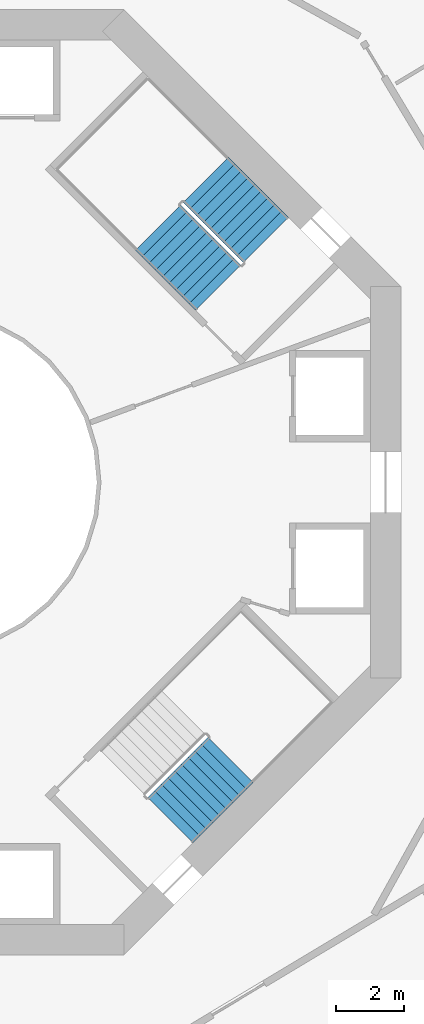
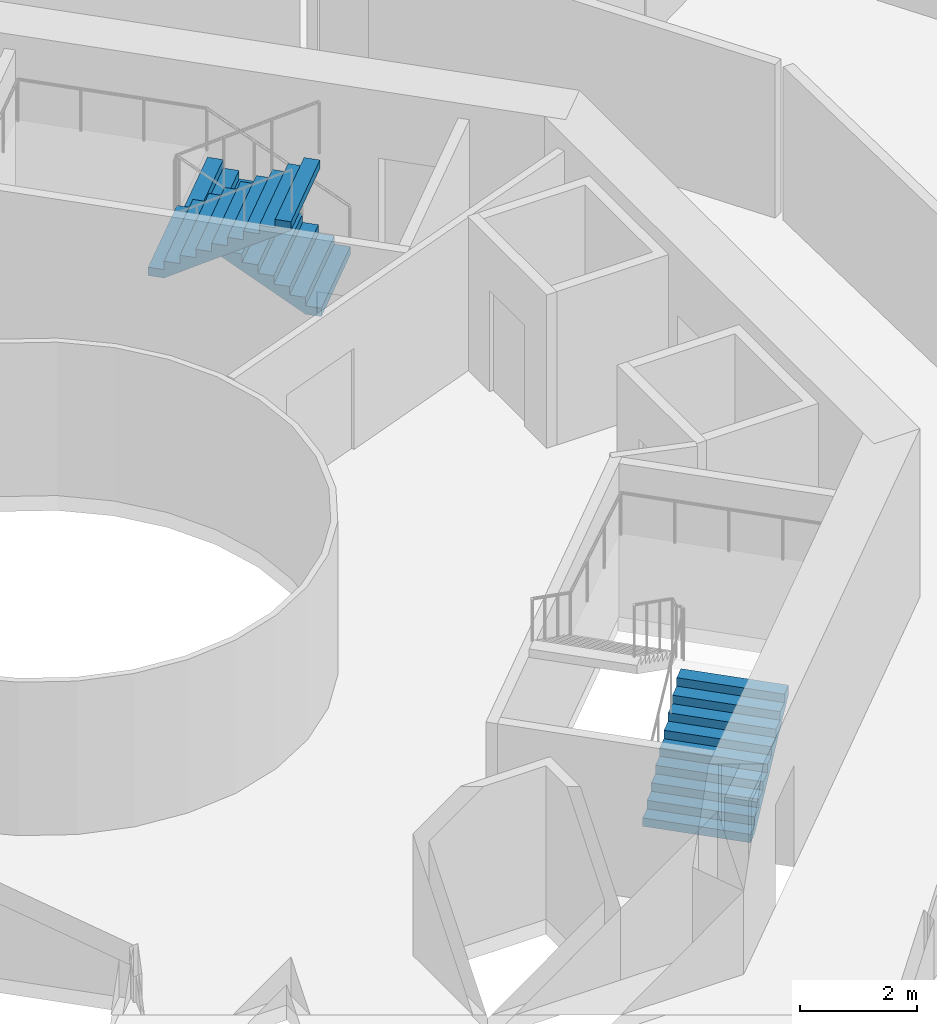
# One storey, part 24 of 25: 3 stair flights, 2 elements without a shape of their own.
"""IFC4 building model written with IfcOpenShell, lengths in metres."""

from ifc_helpers import new_model, si_unit, direction, frame, origin, place, context, subcontext, project, spatial, triangles, material, type_object, element, aggregate, save


model = new_model("IFC4")

# Units and contexts
model_context = context("Model", 3, precision=1e-05, world=origin(), true_north=direction((0.0, 1.0)))
body_context = subcontext(model_context, "Body", "Model", "MODEL_VIEW")
ifc_project = project(units=[si_unit("LENGTHUNIT", "METRE"), si_unit("AREAUNIT", "SQUARE_METRE"), si_unit("VOLUMEUNIT", "CUBIC_METRE"), si_unit("PLANEANGLEUNIT", "RADIAN"), si_unit("MASSUNIT", "GRAM", prefix="KILO")], contexts=[model_context])

# Site, building, storey
site_placement = place(None, origin())
site = spatial("IfcSite", under=ifc_project, at=site_placement, CompositionType="ELEMENT")
building_placement = place(site_placement, origin())
building = spatial("IfcBuilding", under=site, at=building_placement, Name="Verdalira Terraces Hotel", CompositionType="ELEMENT")
storey_placement = place(building_placement, frame((0.0, 0.0, 39.0)))
storey = spatial("IfcBuildingStorey", under=building, at=storey_placement, Name="L07", CompositionType="ELEMENT", Elevation=39.0)

# Stair, stair flights
ifc_material_1 = material(Name="Concrete C40", Category="concrete")
stair_type = type_object("IfcStairType", Name="Core stair 20 risers 1900 mm wide", PredefinedType="HALF_TURN_STAIR", material=ifc_material_1)
stair_1_placement = place(storey_placement, origin())
stair_1 = element("IfcStair", 1, at=stair_1_placement, inside=storey, type_object=stair_type, Name="L07 Exit stair ST1", PredefinedType="HALF_TURN_STAIR")
ifc_material_2 = material(Name="Concrete C40", Category="concrete")
stair_flight_type = type_object("IfcStairFlightType", Name="Core stair flight 20 risers 1900 mm wide", PredefinedType="STRAIGHT", material=ifc_material_2)
stair_flight_1_placement = place(storey_placement, frame((10.005615, 7.177246, 0.0), z_axis=(0.0, 0.0, 1.0), x_axis=(-0.707106781, 0.707106781, 0.0)))
stair_flight_1 = element("IfcStairFlight", 2, at=stair_flight_1_placement, type_object=stair_flight_type, Name="ST1 flight 1", NumberOfRisers=10, NumberOfTreads=9, PredefinedType="STRAIGHT", RiserHeight=0.175, TreadLength=0.28, context=body_context, shape_type="Tessellation", body=[
    triangles([(0.0, 0.949951, 0.0), (0.282715, 0.949951, 0.0), (2.52002, 0.949951, 1.398193), (0.0, -0.949951, 0.0), (0.282715, -0.949951, 0.0), (2.52002, -0.949951, 1.398193), (2.52002, 0.949951, 1.574951), (2.23999, 0.949951, 1.574951), (2.52002, -0.949951, 1.574951), (2.23999, -0.949951, 1.574951), (2.23999, 0.949951, 1.399902), (2.23999, -0.949951, 1.399902), (1.959961, 0.949951, 1.399902), (1.959961, -0.949951, 1.399902), (1.959961, 0.949951, 1.225098), (1.959961, -0.949951, 1.225098), (1.679932, 0.949951, 1.225098), (1.679932, 0.949951, 1.050049), (1.679932, -0.949951, 1.225098), (1.679932, -0.949951, 1.050049), (1.399902, 0.949951, 1.050049), (1.399902, 0.949951, 0.875), (1.399902, -0.949951, 1.050049), (1.399902, -0.949951, 0.875), (1.120117, 0.949951, 0.875), (1.120117, 0.949951, 0.699951), (1.120117, -0.949951, 0.875), (1.120117, -0.949951, 0.699951), (0.840088, 0.949951, 0.699951), (0.840088, 0.949951, 0.524902), (0.840088, -0.949951, 0.699951), (0.840088, -0.949951, 0.524902), (0.560059, 0.949951, 0.524902), (0.560059, 0.949951, 0.350098), (0.560059, -0.949951, 0.524902), (0.560059, -0.949951, 0.350098), (0.280029, 0.949951, 0.350098), (0.280029, 0.949951, 0.175049), (0.280029, -0.949951, 0.350098), (0.280029, -0.949951, 0.175049), (0.0, 0.949951, 0.175049), (0.0, -0.949951, 0.175049), (0.0, -0.890579, 0.0), (0.0, -0.890579, 0.175049), (0.0, -0.831207, 0.0), (0.0, -0.831207, 0.175049), (0.0, -0.771835, 0.0), (0.0, -0.771835, 0.175049), (0.0, -0.712463, 0.0), (0.0, -0.712463, 0.175049), (0.0, -0.653091, 0.0), (0.0, -0.653091, 0.175049), (0.0, -0.593719, 0.0), (0.0, -0.593719, 0.175049), (0.0, -0.534348, 0.0), (0.0, -0.534348, 0.175049), (0.0, -0.474976, 0.0), (0.0, -0.474976, 0.175049), (0.0, -0.415604, 0.0), (0.0, -0.415604, 0.175049), (0.0, -0.356232, 0.0), (0.0, -0.356232, 0.175049), (0.0, -0.29686, 0.0), (0.0, -0.29686, 0.175049), (0.0, -0.237488, 0.0), (0.0, -0.237488, 0.175049), (0.0, -0.178116, 0.0), (0.0, -0.178116, 0.175049), (0.0, -0.118744, 0.0), (0.0, -0.118744, 0.175049), (0.0, -0.059372, 0.0), (0.0, -0.059372, 0.175049), (0.0, 0.0, 0.0), (0.0, 0.0, 0.175049), (0.0, 0.059372, 0.0), (0.0, 0.059372, 0.175049), (0.0, 0.118744, 0.0), (0.0, 0.118744, 0.175049), (0.0, 0.178116, 0.0), (0.0, 0.178116, 0.175049), (0.0, 0.237488, 0.0), (0.0, 0.237488, 0.175049), (0.0, 0.29686, 0.0), (0.0, 0.29686, 0.175049), (0.0, 0.356232, 0.0), (0.0, 0.356232, 0.175049), (0.0, 0.415604, 0.0), (0.0, 0.415604, 0.175049), (0.0, 0.474976, 0.0), (0.0, 0.474976, 0.175049), (0.0, 0.534348, 0.0), (0.0, 0.534348, 0.175049), (0.0, 0.593719, 0.0), (0.0, 0.593719, 0.175049), (0.0, 0.653091, 0.0), (0.0, 0.653091, 0.175049), (0.0, 0.712463, 0.0), (0.0, 0.712463, 0.175049), (0.0, 0.771835, 0.0), (0.0, 0.771835, 0.175049), (0.0, 0.831207, 0.0), (0.0, 0.831207, 0.175049), (0.0, 0.890579, 0.0), (0.0, 0.890579, 0.175049), (2.52002, -0.890579, 1.574951), (2.52002, -0.831207, 1.574951), (2.52002, -0.771835, 1.574951), (2.52002, -0.712463, 1.574951), (2.52002, -0.653091, 1.574951), (2.52002, -0.593719, 1.574951), (2.52002, -0.534348, 1.574951), (2.52002, -0.474976, 1.574951), (2.52002, -0.415604, 1.574951), (2.52002, -0.356232, 1.574951), (2.52002, -0.29686, 1.574951), (2.52002, -0.237488, 1.574951), (2.52002, -0.178116, 1.574951), (2.52002, -0.118744, 1.574951), (2.52002, -0.059372, 1.574951), (2.52002, 0.0, 1.574951), (2.52002, 0.059372, 1.574951), (2.52002, 0.118744, 1.574951), (2.52002, 0.178116, 1.574951), (2.52002, 0.237488, 1.574951), (2.52002, 0.29686, 1.574951), (2.52002, 0.356232, 1.574951), (2.52002, 0.415604, 1.574951), (2.52002, 0.474976, 1.574951), (2.52002, 0.534348, 1.574951), (2.52002, 0.593719, 1.574951), (2.52002, 0.653091, 1.574951), (2.52002, 0.712463, 1.574951), (2.52002, 0.771835, 1.574951), (2.52002, 0.831207, 1.574951), (2.52002, 0.890579, 1.574951), (2.52002, -0.890579, 1.398193), (2.52002, -0.831207, 1.398193), (2.52002, -0.771835, 1.398193), (2.52002, -0.712463, 1.398193), (2.52002, -0.653091, 1.398193), (2.52002, -0.593719, 1.398193), (2.52002, -0.534348, 1.398193), (2.52002, -0.474976, 1.398193), (2.52002, -0.415604, 1.398193), (2.52002, -0.356232, 1.398193), (2.52002, -0.29686, 1.398193), (2.52002, -0.237488, 1.398193), (2.52002, -0.178116, 1.398193), (2.52002, -0.118744, 1.398193), (2.52002, -0.059372, 1.398193), (2.52002, 0.0, 1.398193), (2.52002, 0.059372, 1.398193), (2.52002, 0.118744, 1.398193), (2.52002, 0.178116, 1.398193), (2.52002, 0.237488, 1.398193), (2.52002, 0.29686, 1.398193), (2.52002, 0.356232, 1.398193), (2.52002, 0.415604, 1.398193), (2.52002, 0.474976, 1.398193), (2.52002, 0.534348, 1.398193), (2.52002, 0.593719, 1.398193), (2.52002, 0.653091, 1.398193), (2.52002, 0.712463, 1.398193), (2.52002, 0.771835, 1.398193), (2.52002, 0.831207, 1.398193), (2.52002, 0.890579, 1.398193)], [[1, 3, 2], [4, 5, 6], [3, 8, 7], [6, 9, 10], [3, 11, 8], [6, 10, 12], [3, 13, 11], [6, 12, 14], [3, 15, 13], [6, 14, 16], [15, 18, 17], [16, 19, 20], [3, 18, 15], [6, 16, 20], [18, 22, 21], [20, 23, 24], [3, 22, 18], [6, 20, 24], [22, 26, 25], [24, 27, 28], [3, 26, 22], [6, 24, 28], [26, 30, 29], [28, 31, 32], [3, 30, 26], [6, 28, 32], [1, 30, 3], [4, 6, 32], [30, 34, 33], [32, 35, 36], [34, 38, 37], [36, 39, 40], [30, 38, 34], [32, 36, 40], [1, 38, 30], [4, 32, 40], [38, 1, 41], [40, 42, 4], [4, 44, 43], [4, 42, 44], [43, 46, 45], [43, 44, 46], [45, 48, 47], [45, 46, 48], [47, 50, 49], [47, 48, 50], [49, 52, 51], [49, 50, 52], [51, 54, 53], [51, 52, 54], [53, 56, 55], [53, 54, 56], [55, 58, 57], [55, 56, 58], [57, 60, 59], [57, 58, 60], [59, 62, 61], [59, 60, 62], [61, 64, 63], [61, 62, 64], [63, 66, 65], [63, 64, 66], [65, 68, 67], [65, 66, 68], [67, 70, 69], [67, 68, 70], [69, 72, 71], [69, 70, 72], [71, 74, 73], [71, 72, 74], [73, 76, 75], [73, 74, 76], [75, 78, 77], [75, 76, 78], [77, 80, 79], [77, 78, 80], [79, 82, 81], [79, 80, 82], [81, 84, 83], [81, 82, 84], [83, 86, 85], [83, 84, 86], [85, 88, 87], [85, 86, 88], [87, 90, 89], [87, 88, 90], [89, 92, 91], [89, 90, 92], [91, 94, 93], [91, 92, 94], [93, 96, 95], [93, 94, 96], [95, 98, 97], [95, 96, 98], [97, 100, 99], [97, 98, 100], [99, 102, 101], [99, 100, 102], [101, 104, 103], [101, 102, 104], [103, 41, 1], [103, 104, 41], [42, 40, 44], [44, 40, 46], [46, 40, 48], [48, 40, 50], [50, 40, 52], [52, 40, 54], [54, 40, 56], [56, 40, 58], [58, 40, 60], [60, 40, 62], [62, 40, 64], [64, 40, 66], [66, 40, 68], [68, 40, 70], [70, 40, 72], [72, 40, 74], [74, 40, 76], [76, 40, 78], [78, 40, 80], [80, 40, 82], [82, 40, 84], [84, 40, 86], [86, 40, 88], [88, 40, 90], [90, 40, 92], [92, 40, 94], [94, 40, 96], [96, 40, 98], [98, 40, 100], [100, 40, 102], [102, 40, 104], [104, 40, 41], [41, 40, 38], [40, 37, 38], [40, 39, 37], [39, 34, 37], [39, 36, 34], [36, 33, 34], [36, 35, 33], [35, 30, 33], [35, 32, 30], [32, 29, 30], [32, 31, 29], [31, 26, 29], [31, 28, 26], [28, 25, 26], [28, 27, 25], [27, 22, 25], [27, 24, 22], [24, 21, 22], [24, 23, 21], [23, 18, 21], [23, 20, 18], [20, 17, 18], [20, 19, 17], [19, 15, 17], [19, 16, 15], [16, 13, 15], [16, 14, 13], [14, 11, 13], [14, 12, 11], [12, 8, 11], [12, 10, 8], [9, 105, 10], [105, 106, 10], [106, 107, 10], [107, 108, 10], [108, 109, 10], [109, 110, 10], [110, 111, 10], [111, 112, 10], [112, 113, 10], [113, 114, 10], [114, 115, 10], [115, 116, 10], [116, 117, 10], [117, 118, 10], [118, 119, 10], [119, 120, 10], [120, 121, 10], [121, 122, 10], [122, 123, 10], [123, 124, 10], [124, 125, 10], [125, 126, 10], [126, 127, 10], [127, 128, 10], [128, 129, 10], [129, 130, 10], [130, 131, 10], [131, 132, 10], [132, 133, 10], [133, 134, 10], [134, 135, 10], [135, 7, 10], [7, 8, 10], [9, 136, 105], [9, 6, 136], [105, 137, 106], [105, 136, 137], [106, 138, 107], [106, 137, 138], [107, 139, 108], [107, 138, 139], [108, 140, 109], [108, 139, 140], [109, 141, 110], [109, 140, 141], [110, 142, 111], [110, 141, 142], [111, 143, 112], [111, 142, 143], [112, 144, 113], [112, 143, 144], [113, 145, 114], [113, 144, 145], [114, 146, 115], [114, 145, 146], [115, 147, 116], [115, 146, 147], [116, 148, 117], [116, 147, 148], [117, 149, 118], [117, 148, 149], [118, 150, 119], [118, 149, 150], [119, 151, 120], [119, 150, 151], [120, 152, 121], [120, 151, 152], [121, 153, 122], [121, 152, 153], [122, 154, 123], [122, 153, 154], [123, 155, 124], [123, 154, 155], [124, 156, 125], [124, 155, 156], [125, 157, 126], [125, 156, 157], [126, 158, 127], [126, 157, 158], [127, 159, 128], [127, 158, 159], [128, 160, 129], [128, 159, 160], [129, 161, 130], [129, 160, 161], [130, 162, 131], [130, 161, 162], [131, 163, 132], [131, 162, 163], [132, 164, 133], [132, 163, 164], [133, 165, 134], [133, 164, 165], [134, 166, 135], [134, 165, 166], [135, 3, 7], [135, 166, 3], [6, 5, 136], [136, 5, 137], [137, 5, 138], [138, 5, 139], [139, 5, 140], [140, 5, 141], [141, 5, 142], [142, 5, 143], [143, 5, 144], [144, 5, 145], [145, 5, 146], [146, 5, 147], [147, 5, 148], [148, 5, 149], [149, 5, 150], [150, 5, 151], [151, 5, 152], [152, 5, 153], [153, 5, 154], [154, 5, 155], [155, 5, 156], [156, 5, 157], [157, 5, 158], [158, 5, 159], [159, 5, 160], [160, 5, 161], [161, 5, 162], [162, 5, 163], [163, 5, 164], [164, 5, 165], [165, 5, 166], [166, 5, 3], [3, 5, 2], [4, 43, 5], [43, 45, 5], [45, 47, 5], [47, 49, 5], [49, 51, 5], [51, 53, 5], [53, 55, 5], [55, 57, 5], [57, 59, 5], [59, 61, 5], [61, 63, 5], [63, 65, 5], [65, 67, 5], [67, 69, 5], [69, 71, 5], [71, 73, 5], [73, 75, 5], [75, 77, 5], [77, 79, 5], [79, 81, 5], [81, 83, 5], [83, 85, 5], [85, 87, 5], [87, 89, 5], [89, 91, 5], [91, 93, 5], [93, 95, 5], [95, 97, 5], [97, 99, 5], [99, 101, 5], [101, 103, 5], [103, 1, 5], [1, 2, 5]], closed=True),
])
stair_flight_2_placement = place(storey_placement, frame((6.809326, 7.544922, 1.75), z_axis=(0.0, 0.0, 1.0), x_axis=(0.707106781, -0.707106781, 0.0)))
stair_flight_2 = element("IfcStairFlight", 3, at=stair_flight_2_placement, type_object=stair_flight_type, Name="ST1 flight 2", NumberOfRisers=10, NumberOfTreads=9, PredefinedType="STRAIGHT", RiserHeight=0.175, TreadLength=0.28, context=body_context, shape_type="Tessellation", body=[
    triangles([(0.0, 0.949951, 0.0), (0.282715, 0.949951, 0.0), (2.52002, 0.949951, 1.398193), (0.0, -0.949951, 0.0), (0.282715, -0.949951, 0.0), (2.52002, -0.949951, 1.398193), (2.52002, 0.949951, 1.574951), (2.23999, 0.949951, 1.574951), (2.52002, -0.949951, 1.574951), (2.23999, -0.949951, 1.574951), (2.23999, 0.949951, 1.399902), (2.23999, -0.949951, 1.399902), (1.959961, 0.949951, 1.399902), (1.959961, -0.949951, 1.399902), (1.959961, 0.949951, 1.225098), (1.959961, -0.949951, 1.225098), (1.679932, 0.949951, 1.225098), (1.679932, 0.949951, 1.050049), (1.679932, -0.949951, 1.225098), (1.679932, -0.949951, 1.050049), (1.399902, 0.949951, 1.050049), (1.399902, 0.949951, 0.875), (1.399902, -0.949951, 1.050049), (1.399902, -0.949951, 0.875), (1.120117, 0.949951, 0.875), (1.120117, 0.949951, 0.699951), (1.120117, -0.949951, 0.875), (1.120117, -0.949951, 0.699951), (0.840088, 0.949951, 0.699951), (0.840088, 0.949951, 0.524902), (0.840088, -0.949951, 0.699951), (0.840088, -0.949951, 0.524902), (0.560059, 0.949951, 0.524902), (0.560059, 0.949951, 0.350098), (0.560059, -0.949951, 0.524902), (0.560059, -0.949951, 0.350098), (0.280029, 0.949951, 0.350098), (0.280029, 0.949951, 0.175049), (0.280029, -0.949951, 0.350098), (0.280029, -0.949951, 0.175049), (0.0, 0.949951, 0.175049), (0.0, -0.949951, 0.175049), (0.0, -0.890579, 0.0), (0.0, -0.890579, 0.175049), (0.0, -0.831207, 0.0), (0.0, -0.831207, 0.175049), (0.0, -0.771835, 0.0), (0.0, -0.771835, 0.175049), (0.0, -0.712463, 0.0), (0.0, -0.712463, 0.175049), (0.0, -0.653091, 0.0), (0.0, -0.653091, 0.175049), (0.0, -0.593719, 0.0), (0.0, -0.593719, 0.175049), (0.0, -0.534348, 0.0), (0.0, -0.534348, 0.175049), (0.0, -0.474976, 0.0), (0.0, -0.474976, 0.175049), (0.0, -0.415604, 0.0), (0.0, -0.415604, 0.175049), (0.0, -0.356232, 0.0), (0.0, -0.356232, 0.175049), (0.0, -0.29686, 0.0), (0.0, -0.29686, 0.175049), (0.0, -0.237488, 0.0), (0.0, -0.237488, 0.175049), (0.0, -0.178116, 0.0), (0.0, -0.178116, 0.175049), (0.0, -0.118744, 0.0), (0.0, -0.118744, 0.175049), (0.0, -0.059372, 0.0), (0.0, -0.059372, 0.175049), (0.0, 0.0, 0.0), (0.0, 0.0, 0.175049), (0.0, 0.059372, 0.0), (0.0, 0.059372, 0.175049), (0.0, 0.118744, 0.0), (0.0, 0.118744, 0.175049), (0.0, 0.178116, 0.0), (0.0, 0.178116, 0.175049), (0.0, 0.237488, 0.0), (0.0, 0.237488, 0.175049), (0.0, 0.29686, 0.0), (0.0, 0.29686, 0.175049), (0.0, 0.356232, 0.0), (0.0, 0.356232, 0.175049), (0.0, 0.415604, 0.0), (0.0, 0.415604, 0.175049), (0.0, 0.474976, 0.0), (0.0, 0.474976, 0.175049), (0.0, 0.534348, 0.0), (0.0, 0.534348, 0.175049), (0.0, 0.593719, 0.0), (0.0, 0.593719, 0.175049), (0.0, 0.653091, 0.0), (0.0, 0.653091, 0.175049), (0.0, 0.712463, 0.0), (0.0, 0.712463, 0.175049), (0.0, 0.771835, 0.0), (0.0, 0.771835, 0.175049), (0.0, 0.831207, 0.0), (0.0, 0.831207, 0.175049), (0.0, 0.890579, 0.0), (0.0, 0.890579, 0.175049), (2.52002, -0.890579, 1.574951), (2.52002, -0.831207, 1.574951), (2.52002, -0.771835, 1.574951), (2.52002, -0.712463, 1.574951), (2.52002, -0.653091, 1.574951), (2.52002, -0.593719, 1.574951), (2.52002, -0.534348, 1.574951), (2.52002, -0.474976, 1.574951), (2.52002, -0.415604, 1.574951), (2.52002, -0.356232, 1.574951), (2.52002, -0.29686, 1.574951), (2.52002, -0.237488, 1.574951), (2.52002, -0.178116, 1.574951), (2.52002, -0.118744, 1.574951), (2.52002, -0.059372, 1.574951), (2.52002, 0.0, 1.574951), (2.52002, 0.059372, 1.574951), (2.52002, 0.118744, 1.574951), (2.52002, 0.178116, 1.574951), (2.52002, 0.237488, 1.574951), (2.52002, 0.29686, 1.574951), (2.52002, 0.356232, 1.574951), (2.52002, 0.415604, 1.574951), (2.52002, 0.474976, 1.574951), (2.52002, 0.534348, 1.574951), (2.52002, 0.593719, 1.574951), (2.52002, 0.653091, 1.574951), (2.52002, 0.712463, 1.574951), (2.52002, 0.771835, 1.574951), (2.52002, 0.831207, 1.574951), (2.52002, 0.890579, 1.574951), (2.52002, -0.890579, 1.398193), (2.52002, -0.831207, 1.398193), (2.52002, -0.771835, 1.398193), (2.52002, -0.712463, 1.398193), (2.52002, -0.653091, 1.398193), (2.52002, -0.593719, 1.398193), (2.52002, -0.534348, 1.398193), (2.52002, -0.474976, 1.398193), (2.52002, -0.415604, 1.398193), (2.52002, -0.356232, 1.398193), (2.52002, -0.29686, 1.398193), (2.52002, -0.237488, 1.398193), (2.52002, -0.178116, 1.398193), (2.52002, -0.118744, 1.398193), (2.52002, -0.059372, 1.398193), (2.52002, 0.0, 1.398193), (2.52002, 0.059372, 1.398193), (2.52002, 0.118744, 1.398193), (2.52002, 0.178116, 1.398193), (2.52002, 0.237488, 1.398193), (2.52002, 0.29686, 1.398193), (2.52002, 0.356232, 1.398193), (2.52002, 0.415604, 1.398193), (2.52002, 0.474976, 1.398193), (2.52002, 0.534348, 1.398193), (2.52002, 0.593719, 1.398193), (2.52002, 0.653091, 1.398193), (2.52002, 0.712463, 1.398193), (2.52002, 0.771835, 1.398193), (2.52002, 0.831207, 1.398193), (2.52002, 0.890579, 1.398193)], [[1, 3, 2], [4, 5, 6], [3, 8, 7], [6, 9, 10], [3, 11, 8], [6, 10, 12], [3, 13, 11], [6, 12, 14], [3, 15, 13], [6, 14, 16], [15, 18, 17], [16, 19, 20], [3, 18, 15], [6, 16, 20], [18, 22, 21], [20, 23, 24], [3, 22, 18], [6, 20, 24], [22, 26, 25], [24, 27, 28], [3, 26, 22], [6, 24, 28], [26, 30, 29], [28, 31, 32], [3, 30, 26], [6, 28, 32], [1, 30, 3], [4, 6, 32], [30, 34, 33], [32, 35, 36], [34, 38, 37], [36, 39, 40], [30, 38, 34], [32, 36, 40], [1, 38, 30], [4, 32, 40], [38, 1, 41], [40, 42, 4], [4, 44, 43], [4, 42, 44], [43, 46, 45], [43, 44, 46], [45, 48, 47], [45, 46, 48], [47, 50, 49], [47, 48, 50], [49, 52, 51], [49, 50, 52], [51, 54, 53], [51, 52, 54], [53, 56, 55], [53, 54, 56], [55, 58, 57], [55, 56, 58], [57, 60, 59], [57, 58, 60], [59, 62, 61], [59, 60, 62], [61, 64, 63], [61, 62, 64], [63, 66, 65], [63, 64, 66], [65, 68, 67], [65, 66, 68], [67, 70, 69], [67, 68, 70], [69, 72, 71], [69, 70, 72], [71, 74, 73], [71, 72, 74], [73, 76, 75], [73, 74, 76], [75, 78, 77], [75, 76, 78], [77, 80, 79], [77, 78, 80], [79, 82, 81], [79, 80, 82], [81, 84, 83], [81, 82, 84], [83, 86, 85], [83, 84, 86], [85, 88, 87], [85, 86, 88], [87, 90, 89], [87, 88, 90], [89, 92, 91], [89, 90, 92], [91, 94, 93], [91, 92, 94], [93, 96, 95], [93, 94, 96], [95, 98, 97], [95, 96, 98], [97, 100, 99], [97, 98, 100], [99, 102, 101], [99, 100, 102], [101, 104, 103], [101, 102, 104], [103, 41, 1], [103, 104, 41], [42, 40, 44], [44, 40, 46], [46, 40, 48], [48, 40, 50], [50, 40, 52], [52, 40, 54], [54, 40, 56], [56, 40, 58], [58, 40, 60], [60, 40, 62], [62, 40, 64], [64, 40, 66], [66, 40, 68], [68, 40, 70], [70, 40, 72], [72, 40, 74], [74, 40, 76], [76, 40, 78], [78, 40, 80], [80, 40, 82], [82, 40, 84], [84, 40, 86], [86, 40, 88], [88, 40, 90], [90, 40, 92], [92, 40, 94], [94, 40, 96], [96, 40, 98], [98, 40, 100], [100, 40, 102], [102, 40, 104], [104, 40, 41], [41, 40, 38], [40, 37, 38], [40, 39, 37], [39, 34, 37], [39, 36, 34], [36, 33, 34], [36, 35, 33], [35, 30, 33], [35, 32, 30], [32, 29, 30], [32, 31, 29], [31, 26, 29], [31, 28, 26], [28, 25, 26], [28, 27, 25], [27, 22, 25], [27, 24, 22], [24, 21, 22], [24, 23, 21], [23, 18, 21], [23, 20, 18], [20, 17, 18], [20, 19, 17], [19, 15, 17], [19, 16, 15], [16, 13, 15], [16, 14, 13], [14, 11, 13], [14, 12, 11], [12, 8, 11], [12, 10, 8], [9, 105, 10], [105, 106, 10], [106, 107, 10], [107, 108, 10], [108, 109, 10], [109, 110, 10], [110, 111, 10], [111, 112, 10], [112, 113, 10], [113, 114, 10], [114, 115, 10], [115, 116, 10], [116, 117, 10], [117, 118, 10], [118, 119, 10], [119, 120, 10], [120, 121, 10], [121, 122, 10], [122, 123, 10], [123, 124, 10], [124, 125, 10], [125, 126, 10], [126, 127, 10], [127, 128, 10], [128, 129, 10], [129, 130, 10], [130, 131, 10], [131, 132, 10], [132, 133, 10], [133, 134, 10], [134, 135, 10], [135, 7, 10], [7, 8, 10], [9, 136, 105], [9, 6, 136], [105, 137, 106], [105, 136, 137], [106, 138, 107], [106, 137, 138], [107, 139, 108], [107, 138, 139], [108, 140, 109], [108, 139, 140], [109, 141, 110], [109, 140, 141], [110, 142, 111], [110, 141, 142], [111, 143, 112], [111, 142, 143], [112, 144, 113], [112, 143, 144], [113, 145, 114], [113, 144, 145], [114, 146, 115], [114, 145, 146], [115, 147, 116], [115, 146, 147], [116, 148, 117], [116, 147, 148], [117, 149, 118], [117, 148, 149], [118, 150, 119], [118, 149, 150], [119, 151, 120], [119, 150, 151], [120, 152, 121], [120, 151, 152], [121, 153, 122], [121, 152, 153], [122, 154, 123], [122, 153, 154], [123, 155, 124], [123, 154, 155], [124, 156, 125], [124, 155, 156], [125, 157, 126], [125, 156, 157], [126, 158, 127], [126, 157, 158], [127, 159, 128], [127, 158, 159], [128, 160, 129], [128, 159, 160], [129, 161, 130], [129, 160, 161], [130, 162, 131], [130, 161, 162], [131, 163, 132], [131, 162, 163], [132, 164, 133], [132, 163, 164], [133, 165, 134], [133, 164, 165], [134, 166, 135], [134, 165, 166], [135, 3, 7], [135, 166, 3], [6, 5, 136], [136, 5, 137], [137, 5, 138], [138, 5, 139], [139, 5, 140], [140, 5, 141], [141, 5, 142], [142, 5, 143], [143, 5, 144], [144, 5, 145], [145, 5, 146], [146, 5, 147], [147, 5, 148], [148, 5, 149], [149, 5, 150], [150, 5, 151], [151, 5, 152], [152, 5, 153], [153, 5, 154], [154, 5, 155], [155, 5, 156], [156, 5, 157], [157, 5, 158], [158, 5, 159], [159, 5, 160], [160, 5, 161], [161, 5, 162], [162, 5, 163], [163, 5, 164], [164, 5, 165], [165, 5, 166], [166, 5, 3], [3, 5, 2], [4, 43, 5], [43, 45, 5], [45, 47, 5], [47, 49, 5], [49, 51, 5], [51, 53, 5], [53, 55, 5], [55, 57, 5], [57, 59, 5], [59, 61, 5], [61, 63, 5], [63, 65, 5], [65, 67, 5], [67, 69, 5], [69, 71, 5], [71, 73, 5], [73, 75, 5], [75, 77, 5], [77, 79, 5], [79, 81, 5], [81, 83, 5], [83, 85, 5], [85, 87, 5], [87, 89, 5], [89, 91, 5], [91, 93, 5], [93, 95, 5], [95, 97, 5], [97, 99, 5], [99, 101, 5], [101, 103, 5], [103, 1, 5], [1, 2, 5]], closed=True),
])
aggregate(stair_1, [stair_flight_1, stair_flight_2])

# Stair, stair flight
stair_2_placement = place(storey_placement, origin())
stair_2 = element("IfcStair", 4, at=stair_2_placement, inside=storey, type_object=stair_type, Name="L07 Exit stair ST3", PredefinedType="HALF_TURN_STAIR")
stair_flight_3_placement = place(storey_placement, frame((7.177246, -10.005615, 0.0), z_axis=(0.0, 0.0, 1.0), x_axis=(0.707106781, 0.707106781, 0.0)))
stair_flight_3 = element("IfcStairFlight", 5, at=stair_flight_3_placement, type_object=stair_flight_type, Name="ST3 flight 1", NumberOfRisers=10, NumberOfTreads=9, PredefinedType="STRAIGHT", RiserHeight=0.175, TreadLength=0.28, context=body_context, shape_type="Tessellation", body=[
    triangles([(0.0, 0.949951, 0.0), (0.282715, 0.949951, 0.0), (2.52002, 0.949951, 1.398193), (0.0, -0.949951, 0.0), (0.282715, -0.949951, 0.0), (2.52002, -0.949951, 1.398193), (2.52002, 0.949951, 1.574951), (2.23999, 0.949951, 1.574951), (2.52002, -0.949951, 1.574951), (2.23999, -0.949951, 1.574951), (2.23999, 0.949951, 1.399902), (2.23999, -0.949951, 1.399902), (1.959961, 0.949951, 1.399902), (1.959961, -0.949951, 1.399902), (1.959961, 0.949951, 1.225098), (1.959961, -0.949951, 1.225098), (1.679932, 0.949951, 1.225098), (1.679932, 0.949951, 1.050049), (1.679932, -0.949951, 1.225098), (1.679932, -0.949951, 1.050049), (1.399902, 0.949951, 1.050049), (1.399902, 0.949951, 0.875), (1.399902, -0.949951, 1.050049), (1.399902, -0.949951, 0.875), (1.120117, 0.949951, 0.875), (1.120117, 0.949951, 0.699951), (1.120117, -0.949951, 0.875), (1.120117, -0.949951, 0.699951), (0.840088, 0.949951, 0.699951), (0.840088, 0.949951, 0.524902), (0.840088, -0.949951, 0.699951), (0.840088, -0.949951, 0.524902), (0.560059, 0.949951, 0.524902), (0.560059, 0.949951, 0.350098), (0.560059, -0.949951, 0.524902), (0.560059, -0.949951, 0.350098), (0.280029, 0.949951, 0.350098), (0.280029, 0.949951, 0.175049), (0.280029, -0.949951, 0.350098), (0.280029, -0.949951, 0.175049), (0.0, 0.949951, 0.175049), (0.0, -0.949951, 0.175049), (0.0, -0.890579, 0.0), (0.0, -0.890579, 0.175049), (0.0, -0.831207, 0.0), (0.0, -0.831207, 0.175049), (0.0, -0.771835, 0.0), (0.0, -0.771835, 0.175049), (0.0, -0.712463, 0.0), (0.0, -0.712463, 0.175049), (0.0, -0.653091, 0.0), (0.0, -0.653091, 0.175049), (0.0, -0.593719, 0.0), (0.0, -0.593719, 0.175049), (0.0, -0.534348, 0.0), (0.0, -0.534348, 0.175049), (0.0, -0.474976, 0.0), (0.0, -0.474976, 0.175049), (0.0, -0.415604, 0.0), (0.0, -0.415604, 0.175049), (0.0, -0.356232, 0.0), (0.0, -0.356232, 0.175049), (0.0, -0.29686, 0.0), (0.0, -0.29686, 0.175049), (0.0, -0.237488, 0.0), (0.0, -0.237488, 0.175049), (0.0, -0.178116, 0.0), (0.0, -0.178116, 0.175049), (0.0, -0.118744, 0.0), (0.0, -0.118744, 0.175049), (0.0, -0.059372, 0.0), (0.0, -0.059372, 0.175049), (0.0, 0.0, 0.0), (0.0, 0.0, 0.175049), (0.0, 0.059372, 0.0), (0.0, 0.059372, 0.175049), (0.0, 0.118744, 0.0), (0.0, 0.118744, 0.175049), (0.0, 0.178116, 0.0), (0.0, 0.178116, 0.175049), (0.0, 0.237488, 0.0), (0.0, 0.237488, 0.175049), (0.0, 0.29686, 0.0), (0.0, 0.29686, 0.175049), (0.0, 0.356232, 0.0), (0.0, 0.356232, 0.175049), (0.0, 0.415604, 0.0), (0.0, 0.415604, 0.175049), (0.0, 0.474976, 0.0), (0.0, 0.474976, 0.175049), (0.0, 0.534348, 0.0), (0.0, 0.534348, 0.175049), (0.0, 0.593719, 0.0), (0.0, 0.593719, 0.175049), (0.0, 0.653091, 0.0), (0.0, 0.653091, 0.175049), (0.0, 0.712463, 0.0), (0.0, 0.712463, 0.175049), (0.0, 0.771835, 0.0), (0.0, 0.771835, 0.175049), (0.0, 0.831207, 0.0), (0.0, 0.831207, 0.175049), (0.0, 0.890579, 0.0), (0.0, 0.890579, 0.175049), (2.52002, -0.890579, 1.574951), (2.52002, -0.831207, 1.574951), (2.52002, -0.771835, 1.574951), (2.52002, -0.712463, 1.574951), (2.52002, -0.653091, 1.574951), (2.52002, -0.593719, 1.574951), (2.52002, -0.534348, 1.574951), (2.52002, -0.474976, 1.574951), (2.52002, -0.415604, 1.574951), (2.52002, -0.356232, 1.574951), (2.52002, -0.29686, 1.574951), (2.52002, -0.237488, 1.574951), (2.52002, -0.178116, 1.574951), (2.52002, -0.118744, 1.574951), (2.52002, -0.059372, 1.574951), (2.52002, 0.0, 1.574951), (2.52002, 0.059372, 1.574951), (2.52002, 0.118744, 1.574951), (2.52002, 0.178116, 1.574951), (2.52002, 0.237488, 1.574951), (2.52002, 0.29686, 1.574951), (2.52002, 0.356232, 1.574951), (2.52002, 0.415604, 1.574951), (2.52002, 0.474976, 1.574951), (2.52002, 0.534348, 1.574951), (2.52002, 0.593719, 1.574951), (2.52002, 0.653091, 1.574951), (2.52002, 0.712463, 1.574951), (2.52002, 0.771835, 1.574951), (2.52002, 0.831207, 1.574951), (2.52002, 0.890579, 1.574951), (2.52002, -0.890579, 1.398193), (2.52002, -0.831207, 1.398193), (2.52002, -0.771835, 1.398193), (2.52002, -0.712463, 1.398193), (2.52002, -0.653091, 1.398193), (2.52002, -0.593719, 1.398193), (2.52002, -0.534348, 1.398193), (2.52002, -0.474976, 1.398193), (2.52002, -0.415604, 1.398193), (2.52002, -0.356232, 1.398193), (2.52002, -0.29686, 1.398193), (2.52002, -0.237488, 1.398193), (2.52002, -0.178116, 1.398193), (2.52002, -0.118744, 1.398193), (2.52002, -0.059372, 1.398193), (2.52002, 0.0, 1.398193), (2.52002, 0.059372, 1.398193), (2.52002, 0.118744, 1.398193), (2.52002, 0.178116, 1.398193), (2.52002, 0.237488, 1.398193), (2.52002, 0.29686, 1.398193), (2.52002, 0.356232, 1.398193), (2.52002, 0.415604, 1.398193), (2.52002, 0.474976, 1.398193), (2.52002, 0.534348, 1.398193), (2.52002, 0.593719, 1.398193), (2.52002, 0.653091, 1.398193), (2.52002, 0.712463, 1.398193), (2.52002, 0.771835, 1.398193), (2.52002, 0.831207, 1.398193), (2.52002, 0.890579, 1.398193)], [[1, 3, 2], [4, 5, 6], [3, 8, 7], [6, 9, 10], [3, 11, 8], [6, 10, 12], [3, 13, 11], [6, 12, 14], [3, 15, 13], [6, 14, 16], [15, 18, 17], [16, 19, 20], [3, 18, 15], [6, 16, 20], [18, 22, 21], [20, 23, 24], [3, 22, 18], [6, 20, 24], [22, 26, 25], [24, 27, 28], [3, 26, 22], [6, 24, 28], [26, 30, 29], [28, 31, 32], [3, 30, 26], [6, 28, 32], [1, 30, 3], [4, 6, 32], [30, 34, 33], [32, 35, 36], [34, 38, 37], [36, 39, 40], [30, 38, 34], [32, 36, 40], [1, 38, 30], [4, 32, 40], [38, 1, 41], [40, 42, 4], [4, 44, 43], [4, 42, 44], [43, 46, 45], [43, 44, 46], [45, 48, 47], [45, 46, 48], [47, 50, 49], [47, 48, 50], [49, 52, 51], [49, 50, 52], [51, 54, 53], [51, 52, 54], [53, 56, 55], [53, 54, 56], [55, 58, 57], [55, 56, 58], [57, 60, 59], [57, 58, 60], [59, 62, 61], [59, 60, 62], [61, 64, 63], [61, 62, 64], [63, 66, 65], [63, 64, 66], [65, 68, 67], [65, 66, 68], [67, 70, 69], [67, 68, 70], [69, 72, 71], [69, 70, 72], [71, 74, 73], [71, 72, 74], [73, 76, 75], [73, 74, 76], [75, 78, 77], [75, 76, 78], [77, 80, 79], [77, 78, 80], [79, 82, 81], [79, 80, 82], [81, 84, 83], [81, 82, 84], [83, 86, 85], [83, 84, 86], [85, 88, 87], [85, 86, 88], [87, 90, 89], [87, 88, 90], [89, 92, 91], [89, 90, 92], [91, 94, 93], [91, 92, 94], [93, 96, 95], [93, 94, 96], [95, 98, 97], [95, 96, 98], [97, 100, 99], [97, 98, 100], [99, 102, 101], [99, 100, 102], [101, 104, 103], [101, 102, 104], [103, 41, 1], [103, 104, 41], [42, 40, 44], [44, 40, 46], [46, 40, 48], [48, 40, 50], [50, 40, 52], [52, 40, 54], [54, 40, 56], [56, 40, 58], [58, 40, 60], [60, 40, 62], [62, 40, 64], [64, 40, 66], [66, 40, 68], [68, 40, 70], [70, 40, 72], [72, 40, 74], [74, 40, 76], [76, 40, 78], [78, 40, 80], [80, 40, 82], [82, 40, 84], [84, 40, 86], [86, 40, 88], [88, 40, 90], [90, 40, 92], [92, 40, 94], [94, 40, 96], [96, 40, 98], [98, 40, 100], [100, 40, 102], [102, 40, 104], [104, 40, 41], [41, 40, 38], [40, 37, 38], [40, 39, 37], [39, 34, 37], [39, 36, 34], [36, 33, 34], [36, 35, 33], [35, 30, 33], [35, 32, 30], [32, 29, 30], [32, 31, 29], [31, 26, 29], [31, 28, 26], [28, 25, 26], [28, 27, 25], [27, 22, 25], [27, 24, 22], [24, 21, 22], [24, 23, 21], [23, 18, 21], [23, 20, 18], [20, 17, 18], [20, 19, 17], [19, 15, 17], [19, 16, 15], [16, 13, 15], [16, 14, 13], [14, 11, 13], [14, 12, 11], [12, 8, 11], [12, 10, 8], [9, 105, 10], [105, 106, 10], [106, 107, 10], [107, 108, 10], [108, 109, 10], [109, 110, 10], [110, 111, 10], [111, 112, 10], [112, 113, 10], [113, 114, 10], [114, 115, 10], [115, 116, 10], [116, 117, 10], [117, 118, 10], [118, 119, 10], [119, 120, 10], [120, 121, 10], [121, 122, 10], [122, 123, 10], [123, 124, 10], [124, 125, 10], [125, 126, 10], [126, 127, 10], [127, 128, 10], [128, 129, 10], [129, 130, 10], [130, 131, 10], [131, 132, 10], [132, 133, 10], [133, 134, 10], [134, 135, 10], [135, 7, 10], [7, 8, 10], [9, 136, 105], [9, 6, 136], [105, 137, 106], [105, 136, 137], [106, 138, 107], [106, 137, 138], [107, 139, 108], [107, 138, 139], [108, 140, 109], [108, 139, 140], [109, 141, 110], [109, 140, 141], [110, 142, 111], [110, 141, 142], [111, 143, 112], [111, 142, 143], [112, 144, 113], [112, 143, 144], [113, 145, 114], [113, 144, 145], [114, 146, 115], [114, 145, 146], [115, 147, 116], [115, 146, 147], [116, 148, 117], [116, 147, 148], [117, 149, 118], [117, 148, 149], [118, 150, 119], [118, 149, 150], [119, 151, 120], [119, 150, 151], [120, 152, 121], [120, 151, 152], [121, 153, 122], [121, 152, 153], [122, 154, 123], [122, 153, 154], [123, 155, 124], [123, 154, 155], [124, 156, 125], [124, 155, 156], [125, 157, 126], [125, 156, 157], [126, 158, 127], [126, 157, 158], [127, 159, 128], [127, 158, 159], [128, 160, 129], [128, 159, 160], [129, 161, 130], [129, 160, 161], [130, 162, 131], [130, 161, 162], [131, 163, 132], [131, 162, 163], [132, 164, 133], [132, 163, 164], [133, 165, 134], [133, 164, 165], [134, 166, 135], [134, 165, 166], [135, 3, 7], [135, 166, 3], [6, 5, 136], [136, 5, 137], [137, 5, 138], [138, 5, 139], [139, 5, 140], [140, 5, 141], [141, 5, 142], [142, 5, 143], [143, 5, 144], [144, 5, 145], [145, 5, 146], [146, 5, 147], [147, 5, 148], [148, 5, 149], [149, 5, 150], [150, 5, 151], [151, 5, 152], [152, 5, 153], [153, 5, 154], [154, 5, 155], [155, 5, 156], [156, 5, 157], [157, 5, 158], [158, 5, 159], [159, 5, 160], [160, 5, 161], [161, 5, 162], [162, 5, 163], [163, 5, 164], [164, 5, 165], [165, 5, 166], [166, 5, 3], [3, 5, 2], [4, 43, 5], [43, 45, 5], [45, 47, 5], [47, 49, 5], [49, 51, 5], [51, 53, 5], [53, 55, 5], [55, 57, 5], [57, 59, 5], [59, 61, 5], [61, 63, 5], [63, 65, 5], [65, 67, 5], [67, 69, 5], [69, 71, 5], [71, 73, 5], [73, 75, 5], [75, 77, 5], [77, 79, 5], [79, 81, 5], [81, 83, 5], [83, 85, 5], [85, 87, 5], [87, 89, 5], [89, 91, 5], [91, 93, 5], [93, 95, 5], [95, 97, 5], [97, 99, 5], [99, 101, 5], [101, 103, 5], [103, 1, 5], [1, 2, 5]], closed=True),
])
aggregate(stair_2, [stair_flight_3])

save(model, "model.ifc")
